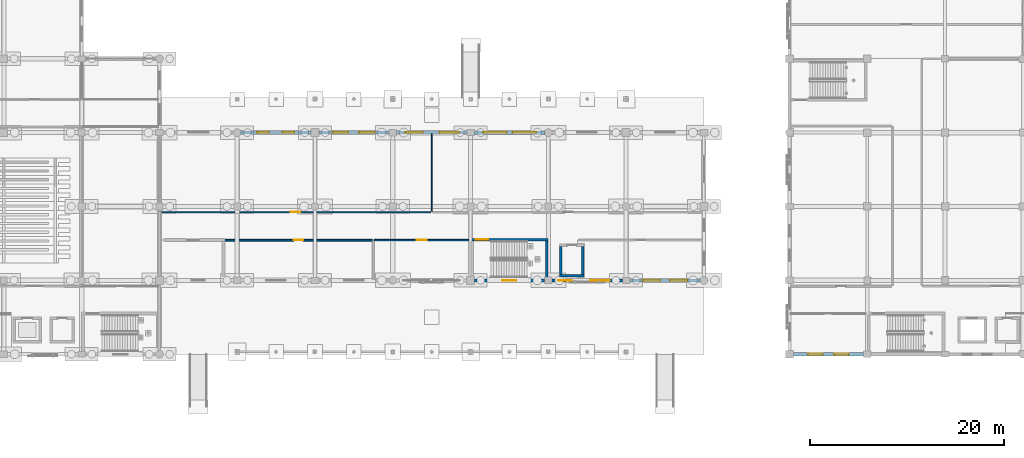
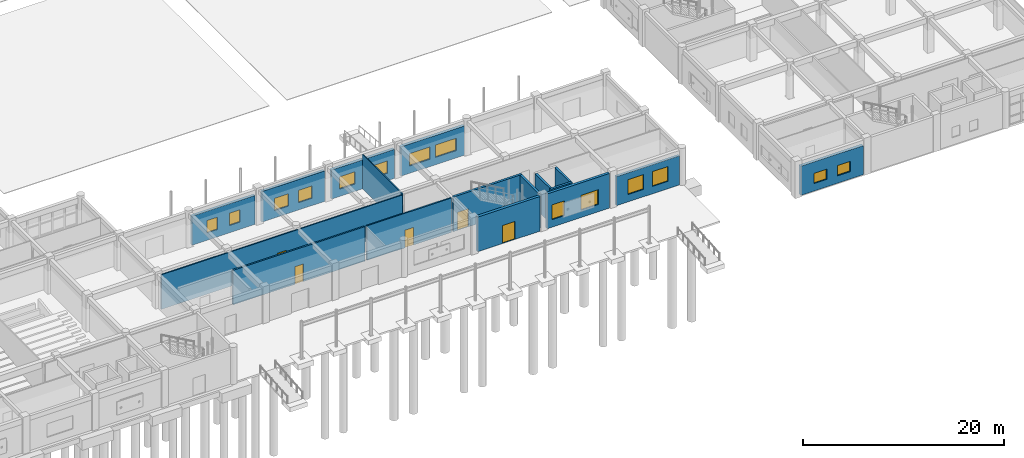
# One storey, part 132 of 166: 17 walls, 14 windows, 5 doors, 19 openings.
"""IFC4 building model written with IfcOpenShell, lengths in metres."""

from ifc_helpers import new_model, si_unit, direction, frame, frame_2d, origin, place, context, subcontext, project, spatial, rectangle, extrude, material, layer, layer_set, type_object, element, fill, save


model = new_model("IFC4")

# Units and contexts
model_context = context("Model", 3, precision=1e-05, world=origin(), true_north=direction((0.0, 1.0)))
body_context = subcontext(model_context, "Body", "Model", "MODEL_VIEW")
ifc_project = project(units=[si_unit("LENGTHUNIT", "METRE"), si_unit("AREAUNIT", "SQUARE_METRE"), si_unit("VOLUMEUNIT", "CUBIC_METRE"), si_unit("PLANEANGLEUNIT", "RADIAN"), si_unit("MASSUNIT", "GRAM", prefix="KILO")], contexts=[model_context])

# Site, building, storey
site_placement = place(None, origin())
site = spatial("IfcSite", under=ifc_project, at=site_placement, CompositionType="ELEMENT")
building_placement = place(site_placement, origin())
building = spatial("IfcBuilding", under=site, at=building_placement, Name="Kharva Crest Polytechnic", CompositionType="ELEMENT")
storey_placement = place(building_placement, origin())
storey = spatial("IfcBuildingStorey", under=building, at=storey_placement, Name="L00", CompositionType="ELEMENT", Elevation=0.0)

# Wall, openings, windows
ifc_material_1 = material(Name="Kiln brick masonry", Category="masonry")
ifc_layer_1 = layer(ifc_material_1, 0.2900390625, Name="Kiln brick masonry")
ifc_layer_set_1 = layer_set([ifc_layer_1], Name="Kiln brick masonry")
wall_type_1 = type_object("IfcWallType", Name="WL-EXT-BRK-290", PredefinedType="SOLIDWALL", material=ifc_layer_set_1)
wall_1_placement = place(storey_placement, frame((104.385009765625, 7.60009765625, 0.0), z_axis=(0.0, 0.0, 1.0), x_axis=(1.0, 0.0, 0.0)))
wall_1 = element("IfcWall", 1, at=wall_1_placement, inside=storey, type_object=wall_type_1, Name="L00 Exterior Brick Wall 26", PredefinedType="SOLIDWALL", context=body_context, shape_type="SweptSolid", body=[
    extrude(rectangle(XDim=7.279052734375, YDim=0.2900390625, at=frame_2d((3.6396484375, 0.0))), origin(), (0.0, 0.0, 1.0), 3.5400390625),
])
opening_1_placement = place(wall_1_placement, frame((1.3330078125, 0.0, 0.89990234375)))
opening_1 = element("IfcOpeningElement", 2, at=opening_1_placement, cuts=wall_1, Name="Opening W05", PredefinedType="OPENING", context=body_context, shape_type="SweptSolid", body=[
    extrude(rectangle(XDim=1.800048828125, YDim=1.800048828125, at=frame_2d((0.89990234375, 0.89990234375))), frame((0.0, 0.155029296875, 0.0), z_axis=(0.0, -1.0, 0.0), x_axis=(1.0, 0.0, 0.0)), (0.0, 0.0, 1.0), 0.31005859375),
])
opening_2_placement = place(wall_1_placement, frame((4.14599609375, 0.0, 0.89990234375)))
opening_2 = element("IfcOpeningElement", 3, at=opening_2_placement, cuts=wall_1, Name="Opening W05", PredefinedType="OPENING", context=body_context, shape_type="SweptSolid", body=[
    extrude(rectangle(XDim=1.800048828125, YDim=1.800048828125, at=frame_2d((0.89990234375, 0.89990234375))), frame((0.0, 0.155029296875, 0.0), z_axis=(0.0, -1.0, 0.0), x_axis=(1.0, 0.0, 0.0)), (0.0, 0.0, 1.0), 0.31005859375),
])
ifc_material_2 = material(Name="Anodised aluminium", Category="aluminium")
window_type_1 = type_object("IfcWindowType", Name="WIN-ALU-1800X1800", PartitioningType="SINGLE_PANEL", PredefinedType="WINDOW", material=ifc_material_2)
window_1_placement = place(opening_1_placement, origin())
window_1 = element("IfcWindow", 4, at=window_1_placement, inside=storey, type_object=window_type_1, Name="L00 Exterior Window 28", OverallHeight=1.800048828125, OverallWidth=1.800048828125, PartitioningType="SINGLE_PANEL", PredefinedType="WINDOW", context=body_context, shape_type="SweptSolid", body=[
    extrude(rectangle(XDim=1.800048828125, YDim=1.800048828125, at=frame_2d((0.89990234375, 0.89990234375))), frame((0.0, 0.030029296875, 0.0), z_axis=(0.0, -1.0, 0.0), x_axis=(1.0, 0.0, 0.0)), (0.0, 0.0, 1.0), 0.06005859375),
])
fill(opening_1, window_1)
window_2_placement = place(opening_2_placement, origin())
window_2 = element("IfcWindow", 5, at=window_2_placement, inside=storey, type_object=window_type_1, Name="L00 Exterior Window 29", OverallHeight=1.800048828125, OverallWidth=1.800048828125, PartitioningType="SINGLE_PANEL", PredefinedType="WINDOW", context=body_context, shape_type="SweptSolid", body=[
    extrude(rectangle(XDim=1.800048828125, YDim=1.800048828125, at=frame_2d((0.89990234375, 0.89990234375))), frame((0.0, 0.030029296875, 0.0), z_axis=(0.0, -1.0, 0.0), x_axis=(1.0, 0.0, 0.0)), (0.0, 0.0, 1.0), 0.06005859375),
])
fill(opening_2, window_2)

ifc_layer_2 = layer(ifc_material_1, 0.304931640625, Name="Kiln brick masonry")
ifc_layer_set_2 = layer_set([ifc_layer_2], Name="Kiln brick masonry")
wall_type_2 = type_object("IfcWallType", Name="WL-EXT-BRK-305", PredefinedType="SOLIDWALL", material=ifc_layer_set_2)
wall_2_placement = place(storey_placement, frame((96.39501953125, 7.60009765625, 0.0), z_axis=(0.0, 0.0, 1.0), x_axis=(1.0, 0.0, 0.0)))
wall_2 = element("IfcWall", 6, at=wall_2_placement, inside=storey, type_object=wall_type_2, Name="L00 Exterior Brick Wall 25", PredefinedType="SOLIDWALL", context=body_context, shape_type="SweptSolid", body=[
    extrude(rectangle(XDim=7.219970703125, YDim=0.304931640625, at=frame_2d((3.60986328125, 0.0))), origin(), (0.0, 0.0, 1.0), 4.219970703125),
])
opening_3_placement = place(wall_2_placement, frame((0.60302734375, 0.0, 0.89990234375)))
opening_3 = element("IfcOpeningElement", 7, at=opening_3_placement, cuts=wall_2, Name="Opening W07", PredefinedType="OPENING", context=body_context, shape_type="SweptSolid", body=[
    extrude(rectangle(XDim=1.39990234375, YDim=1.800048828125, at=frame_2d((0.699951171875, 0.89990234375))), frame((0.0, 0.162353515625, 0.0), z_axis=(0.0, -1.0, 0.0), x_axis=(1.0, 0.0, 0.0)), (0.0, 0.0, 1.0), 0.324951171875),
])
opening_4_placement = place(wall_2_placement, frame((3.912109375, 0.0, 0.89990234375)))
opening_4 = element("IfcOpeningElement", 8, at=opening_4_placement, cuts=wall_2, Name="Opening W04", PredefinedType="OPENING", context=body_context, shape_type="SweptSolid", body=[
    extrude(rectangle(XDim=2.0, YDim=1.800048828125, at=frame_2d((1.0, 0.89990234375))), frame((0.0, 0.162353515625, 0.0), z_axis=(0.0, -1.0, 0.0), x_axis=(1.0, 0.0, 0.0)), (0.0, 0.0, 1.0), 0.324951171875),
])
window_type_2 = type_object("IfcWindowType", Name="WIN-ALU-1400X1800", PartitioningType="SINGLE_PANEL", PredefinedType="WINDOW", material=ifc_material_2)
window_3_placement = place(opening_3_placement, origin())
window_3 = element("IfcWindow", 9, at=window_3_placement, inside=storey, type_object=window_type_2, Name="L00 Exterior Window 26", OverallHeight=1.800048828125, OverallWidth=1.39990234375, PartitioningType="SINGLE_PANEL", PredefinedType="WINDOW", context=body_context, shape_type="SweptSolid", body=[
    extrude(rectangle(XDim=1.39990234375, YDim=1.800048828125, at=frame_2d((0.699951171875, 0.89990234375))), frame((0.0, 0.030029296875, 0.0), z_axis=(0.0, -1.0, 0.0), x_axis=(1.0, 0.0, 0.0)), (0.0, 0.0, 1.0), 0.06005859375),
])
fill(opening_3, window_3)
window_type_3 = type_object("IfcWindowType", Name="WIN-ALU-2000X1800", PartitioningType="SINGLE_PANEL", PredefinedType="WINDOW", material=ifc_material_2)
window_4_placement = place(opening_4_placement, origin())
window_4 = element("IfcWindow", 10, at=window_4_placement, inside=storey, type_object=window_type_3, Name="L00 Exterior Window 27", OverallHeight=1.800048828125, OverallWidth=2.0, PartitioningType="SINGLE_PANEL", PredefinedType="WINDOW", context=body_context, shape_type="SweptSolid", body=[
    extrude(rectangle(XDim=2.0, YDim=1.800048828125, at=frame_2d((1.0, 0.89990234375))), frame((0.0, 0.030029296875, 0.0), z_axis=(0.0, -1.0, 0.0), x_axis=(1.0, 0.0, 0.0)), (0.0, 0.0, 1.0), 0.06005859375),
])
fill(opening_4, window_4)

wall_3_placement = place(storey_placement, frame((71.60498046875, 22.800048828125, 0.0), z_axis=(0.0, 0.0, 1.0), x_axis=(-1.0, 0.0, 0.0)))
wall_3 = element("IfcWall", 11, at=wall_3_placement, inside=storey, type_object=wall_type_2, Name="L00 Exterior Brick Wall 34", PredefinedType="SOLIDWALL", context=body_context, shape_type="SweptSolid", body=[
    extrude(rectangle(XDim=7.26904296875, YDim=0.304931640625, at=frame_2d((3.634521484375, 0.0))), origin(), (0.0, 0.0, 1.0), 3.5400390625),
])
opening_5_placement = place(wall_3_placement, frame((1.72998046875, 0.0, 0.89990234375)))
opening_5 = element("IfcOpeningElement", 12, at=opening_5_placement, cuts=wall_3, Name="Opening W16", PredefinedType="OPENING", context=body_context, shape_type="SweptSolid", body=[
    extrude(rectangle(XDim=1.199951171875, YDim=1.5, at=frame_2d((0.60009765625, 0.75))), frame((0.0, 0.162353515625, 0.0), z_axis=(0.0, -1.0, 0.0), x_axis=(1.0, 0.0, 0.0)), (0.0, 0.0, 1.0), 0.324951171875),
])
opening_6_placement = place(wall_3_placement, frame((4.339111328125, 0.0, 0.89990234375)))
opening_6 = element("IfcOpeningElement", 13, at=opening_6_placement, cuts=wall_3, Name="Opening W16", PredefinedType="OPENING", context=body_context, shape_type="SweptSolid", body=[
    extrude(rectangle(XDim=1.199951171875, YDim=1.5, at=frame_2d((0.60009765625, 0.75))), frame((0.0, 0.162353515625, 0.0), z_axis=(0.0, -1.0, 0.0), x_axis=(1.0, 0.0, 0.0)), (0.0, 0.0, 1.0), 0.324951171875),
])
window_type_4 = type_object("IfcWindowType", Name="WIN-ALU-1200X1500", PartitioningType="SINGLE_PANEL", PredefinedType="WINDOW", material=ifc_material_2)
window_5_placement = place(opening_5_placement, origin())
window_5 = element("IfcWindow", 14, at=window_5_placement, inside=storey, type_object=window_type_4, Name="L00 Exterior Window 39", OverallHeight=1.5, OverallWidth=1.199951171875, PartitioningType="SINGLE_PANEL", PredefinedType="WINDOW", context=body_context, shape_type="SweptSolid", body=[
    extrude(rectangle(XDim=1.199951171875, YDim=1.5, at=frame_2d((0.60009765625, 0.75))), frame((0.0, 0.030029296875, 0.0), z_axis=(0.0, -1.0, 0.0), x_axis=(1.0, 0.0, 0.0)), (0.0, 0.0, 1.0), 0.06005859375),
])
fill(opening_5, window_5)
window_6_placement = place(opening_6_placement, origin())
window_6 = element("IfcWindow", 15, at=window_6_placement, inside=storey, type_object=window_type_4, Name="L00 Exterior Window 40", OverallHeight=1.5, OverallWidth=1.199951171875, PartitioningType="SINGLE_PANEL", PredefinedType="WINDOW", context=body_context, shape_type="SweptSolid", body=[
    extrude(rectangle(XDim=1.199951171875, YDim=1.5, at=frame_2d((0.60009765625, 0.75))), frame((0.0, 0.030029296875, 0.0), z_axis=(0.0, -1.0, 0.0), x_axis=(1.0, 0.0, 0.0)), (0.0, 0.0, 1.0), 0.06005859375),
])
fill(opening_6, window_6)

# Wall, opening, door
ifc_layer_3 = layer(ifc_material_1, 0.320068359375, Name="Kiln brick masonry")
ifc_layer_set_3 = layer_set([ifc_layer_3], Name="Kiln brick masonry")
wall_type_3 = type_object("IfcWallType", Name="WL-EXT-BRK-320", PredefinedType="SOLIDWALL", material=ifc_layer_set_3)
wall_4_placement = place(storey_placement, frame((88.39501953125, 7.60009765625, 0.0), z_axis=(0.0, 0.0, 1.0), x_axis=(1.0, 0.0, 0.0)))
wall_4 = element("IfcWall", 16, at=wall_4_placement, inside=storey, type_object=wall_type_3, Name="L00 Exterior Brick Wall 24", PredefinedType="SOLIDWALL", context=body_context, shape_type="SweptSolid", body=[
    extrude(rectangle(XDim=7.2099609375, YDim=0.320068359375, at=frame_2d((3.60498046875, 0.0))), origin(), (0.0, 0.0, 1.0), 4.219970703125),
])
opening_7_placement = place(wall_4_placement, frame((2.8798828125, 0.0, 0.0)))
opening_7 = element("IfcOpeningElement", 17, at=opening_7_placement, cuts=wall_4, Name="Opening ED5", PredefinedType="OPENING", context=body_context, shape_type="SweptSolid", body=[
    extrude(rectangle(XDim=1.449951171875, YDim=2.199951171875, at=frame_2d((0.72509765625, 1.10009765625))), frame((0.0, 0.169921875, 0.0), z_axis=(0.0, -1.0, 0.0), x_axis=(1.0, 0.0, 0.0)), (0.0, 0.0, 1.0), 0.340087890625),
])
door_type_1 = type_object("IfcDoorType", Name="DR-EXT-ESC-1450X2200", OperationType="NOTDEFINED", PredefinedType="DOOR", material=ifc_material_2)
door_1_placement = place(opening_7_placement, frame((1.449951171875, 0.0, 0.0), z_axis=(0.0, 0.0, 1.0), x_axis=(-1.0, 0.0, 0.0)))
door_1 = element("IfcDoor", 18, at=door_1_placement, inside=storey, type_object=door_type_1, Name="L00 Core C8 Final Exit Door", OperationType="SINGLE_SWING_LEFT", OverallHeight=2.199951171875, OverallWidth=1.449951171875, PredefinedType="DOOR", context=body_context, shape_type="SweptSolid", body=[
    extrude(rectangle(XDim=1.449951171875, YDim=2.199951171875, at=frame_2d((0.72509765625, 1.10009765625))), frame((0.0, 0.02490234375, 0.0), z_axis=(0.0, -1.0, 0.0), x_axis=(1.0, 0.0, 0.0)), (0.0, 0.0, 1.0), 0.050048828125),
])
fill(opening_7, door_1)

# Wall, openings, windows
wall_5_placement = place(storey_placement, frame((79.60498046875, 22.800048828125, 0.0), z_axis=(0.0, 0.0, 1.0), x_axis=(-1.0, 0.0, 0.0)))
wall_5 = element("IfcWall", 19, at=wall_5_placement, inside=storey, type_object=wall_type_3, Name="L00 Exterior Brick Wall 33", PredefinedType="SOLIDWALL", context=body_context, shape_type="SweptSolid", body=[
    extrude(rectangle(XDim=7.2099609375, YDim=0.320068359375, at=frame_2d((3.60498046875, 0.0))), origin(), (0.0, 0.0, 1.0), 3.719970703125),
])
opening_8_placement = place(wall_5_placement, frame((1.443115234375, 0.0, 0.89990234375)))
opening_8 = element("IfcOpeningElement", 20, at=opening_8_placement, cuts=wall_5, Name="Opening W14", PredefinedType="OPENING", context=body_context, shape_type="SweptSolid", body=[
    extrude(rectangle(XDim=1.60009765625, YDim=1.5, at=frame_2d((0.800048828125, 0.75))), frame((0.0, 0.169921875, 0.0), z_axis=(0.0, -1.0, 0.0), x_axis=(1.0, 0.0, 0.0)), (0.0, 0.0, 1.0), 0.340087890625),
])
opening_9_placement = place(wall_5_placement, frame((4.1669921875, 0.0, 0.89990234375)))
opening_9 = element("IfcOpeningElement", 21, at=opening_9_placement, cuts=wall_5, Name="Opening W14", PredefinedType="OPENING", context=body_context, shape_type="SweptSolid", body=[
    extrude(rectangle(XDim=1.60009765625, YDim=1.5, at=frame_2d((0.800048828125, 0.75))), frame((0.0, 0.169921875, 0.0), z_axis=(0.0, -1.0, 0.0), x_axis=(1.0, 0.0, 0.0)), (0.0, 0.0, 1.0), 0.340087890625),
])
window_type_5 = type_object("IfcWindowType", Name="WIN-ALU-1600X1500", PartitioningType="SINGLE_PANEL", PredefinedType="WINDOW", material=ifc_material_2)
window_7_placement = place(opening_8_placement, origin())
window_7 = element("IfcWindow", 22, at=window_7_placement, inside=storey, type_object=window_type_5, Name="L00 Exterior Window 37", OverallHeight=1.5, OverallWidth=1.60009765625, PartitioningType="SINGLE_PANEL", PredefinedType="WINDOW", context=body_context, shape_type="SweptSolid", body=[
    extrude(rectangle(XDim=1.60009765625, YDim=1.5, at=frame_2d((0.800048828125, 0.75))), frame((0.0, 0.030029296875, 0.0), z_axis=(0.0, -1.0, 0.0), x_axis=(1.0, 0.0, 0.0)), (0.0, 0.0, 1.0), 0.06005859375),
])
fill(opening_8, window_7)
window_8_placement = place(opening_9_placement, origin())
window_8 = element("IfcWindow", 23, at=window_8_placement, inside=storey, type_object=window_type_5, Name="L00 Exterior Window 38", OverallHeight=1.5, OverallWidth=1.60009765625, PartitioningType="SINGLE_PANEL", PredefinedType="WINDOW", context=body_context, shape_type="SweptSolid", body=[
    extrude(rectangle(XDim=1.60009765625, YDim=1.5, at=frame_2d((0.800048828125, 0.75))), frame((0.0, 0.030029296875, 0.0), z_axis=(0.0, -1.0, 0.0), x_axis=(1.0, 0.0, 0.0)), (0.0, 0.0, 1.0), 0.06005859375),
])
fill(opening_9, window_8)

ifc_layer_4 = layer(ifc_material_1, 0.3349609375, Name="Kiln brick masonry")
ifc_layer_set_4 = layer_set([ifc_layer_4], Name="Kiln brick masonry")
wall_type_4 = type_object("IfcWallType", Name="WL-EXT-BRK-335", PredefinedType="SOLIDWALL", material=ifc_layer_set_4)
wall_6_placement = place(storey_placement, frame((87.614990234375, 22.800048828125, 0.0), z_axis=(0.0, 0.0, 1.0), x_axis=(-1.0, 0.0, 0.0)))
wall_6 = element("IfcWall", 24, at=wall_6_placement, inside=storey, type_object=wall_type_4, Name="L00 Exterior Brick Wall 32", PredefinedType="SOLIDWALL", context=body_context, shape_type="SweptSolid", body=[
    extrude(rectangle(XDim=7.219970703125, YDim=0.3349609375, at=frame_2d((3.60986328125, 0.0))), origin(), (0.0, 0.0, 1.0), 3.5400390625),
])
opening_10_placement = place(wall_6_placement, frame((0.802978515625, 0.0, 0.89990234375)))
opening_10 = element("IfcOpeningElement", 25, at=opening_10_placement, cuts=wall_6, Name="Opening W12", PredefinedType="OPENING", context=body_context, shape_type="SweptSolid", body=[
    extrude(rectangle(XDim=2.0, YDim=1.5, at=frame_2d((1.0, 0.75))), frame((0.0, 0.177490234375, 0.0), z_axis=(0.0, -1.0, 0.0), x_axis=(1.0, 0.0, 0.0)), (0.0, 0.0, 1.0), 0.35498046875),
])
opening_11_placement = place(wall_6_placement, frame((4.511962890625, 0.0, 0.89990234375)))
opening_11 = element("IfcOpeningElement", 26, at=opening_11_placement, cuts=wall_6, Name="Opening W13", PredefinedType="OPENING", context=body_context, shape_type="SweptSolid", body=[
    extrude(rectangle(XDim=1.800048828125, YDim=1.5, at=frame_2d((0.89990234375, 0.75))), frame((0.0, 0.177490234375, 0.0), z_axis=(0.0, -1.0, 0.0), x_axis=(1.0, 0.0, 0.0)), (0.0, 0.0, 1.0), 0.35498046875),
])
window_type_6 = type_object("IfcWindowType", Name="WIN-ALU-1800X1500", PartitioningType="SINGLE_PANEL", PredefinedType="WINDOW", material=ifc_material_2)
window_9_placement = place(opening_11_placement, origin())
window_9 = element("IfcWindow", 27, at=window_9_placement, inside=storey, type_object=window_type_6, Name="L00 Exterior Window 36", OverallHeight=1.5, OverallWidth=1.800048828125, PartitioningType="SINGLE_PANEL", PredefinedType="WINDOW", context=body_context, shape_type="SweptSolid", body=[
    extrude(rectangle(XDim=1.800048828125, YDim=1.5, at=frame_2d((0.89990234375, 0.75))), frame((0.0, 0.030029296875, 0.0), z_axis=(0.0, -1.0, 0.0), x_axis=(1.0, 0.0, 0.0)), (0.0, 0.0, 1.0), 0.06005859375),
])
fill(opening_11, window_9)
window_type_7 = type_object("IfcWindowType", Name="WIN-ALU-2000X1500", PartitioningType="SINGLE_PANEL", PredefinedType="WINDOW", material=ifc_material_2)
window_10_placement = place(opening_10_placement, origin())
window_10 = element("IfcWindow", 28, at=window_10_placement, inside=storey, type_object=window_type_7, Name="L00 Exterior Window 35", OverallHeight=1.5, OverallWidth=2.0, PartitioningType="SINGLE_PANEL", PredefinedType="WINDOW", context=body_context, shape_type="SweptSolid", body=[
    extrude(rectangle(XDim=2.0, YDim=1.5, at=frame_2d((1.0, 0.75))), frame((0.0, 0.030029296875, 0.0), z_axis=(0.0, -1.0, 0.0), x_axis=(1.0, 0.0, 0.0)), (0.0, 0.0, 1.0), 0.06005859375),
])
fill(opening_10, window_10)

wall_7_placement = place(storey_placement, frame((121.195068359375, 0.0, 0.0), z_axis=(0.0, 0.0, 1.0), x_axis=(1.0, 0.0, 0.0)))
wall_7 = element("IfcWall", 29, at=wall_7_placement, inside=storey, type_object=wall_type_4, Name="L00 Exterior Brick Wall 52", PredefinedType="SOLIDWALL", context=body_context, shape_type="SweptSolid", body=[
    extrude(rectangle(XDim=7.2099609375, YDim=0.3349609375, at=frame_2d((3.60498046875, 0.0))), origin(), (0.0, 0.0, 1.0), 3.5400390625),
])
opening_12_placement = place(wall_7_placement, frame((1.510009765625, 0.0, 0.89990234375)))
opening_12 = element("IfcOpeningElement", 30, at=opening_12_placement, cuts=wall_7, Name="Opening W20", PredefinedType="OPENING", context=body_context, shape_type="SweptSolid", body=[
    extrude(rectangle(XDim=1.5, YDim=1.25, at=frame_2d((0.75, 0.625))), frame((0.0, 0.177490234375, 0.0), z_axis=(0.0, -1.0, 0.0), x_axis=(1.0, 0.0, 0.0)), (0.0, 0.0, 1.0), 0.35498046875),
])
opening_13_placement = place(wall_7_placement, frame((4.199951171875, 0.0, 0.89990234375)))
opening_13 = element("IfcOpeningElement", 31, at=opening_13_placement, cuts=wall_7, Name="Opening W20", PredefinedType="OPENING", context=body_context, shape_type="SweptSolid", body=[
    extrude(rectangle(XDim=1.5, YDim=1.25, at=frame_2d((0.75, 0.625))), frame((0.0, 0.177490234375, 0.0), z_axis=(0.0, -1.0, 0.0), x_axis=(1.0, 0.0, 0.0)), (0.0, 0.0, 1.0), 0.35498046875),
])
window_type_8 = type_object("IfcWindowType", Name="WIN-ALU-1500X1250", PartitioningType="SINGLE_PANEL", PredefinedType="WINDOW", material=ifc_material_2)
window_11_placement = place(opening_12_placement, origin())
window_11 = element("IfcWindow", 32, at=window_11_placement, inside=storey, type_object=window_type_8, Name="L00 Exterior Window 67", OverallHeight=1.25, OverallWidth=1.5, PartitioningType="SINGLE_PANEL", PredefinedType="WINDOW", context=body_context, shape_type="SweptSolid", body=[
    extrude(rectangle(XDim=1.5, YDim=1.25, at=frame_2d((0.75, 0.625))), frame((0.0, 0.030029296875, 0.0), z_axis=(0.0, -1.0, 0.0), x_axis=(1.0, 0.0, 0.0)), (0.0, 0.0, 1.0), 0.06005859375),
])
fill(opening_12, window_11)
window_12_placement = place(opening_13_placement, origin())
window_12 = element("IfcWindow", 33, at=window_12_placement, inside=storey, type_object=window_type_8, Name="L00 Exterior Window 68", OverallHeight=1.25, OverallWidth=1.5, PartitioningType="SINGLE_PANEL", PredefinedType="WINDOW", context=body_context, shape_type="SweptSolid", body=[
    extrude(rectangle(XDim=1.5, YDim=1.25, at=frame_2d((0.75, 0.625))), frame((0.0, 0.030029296875, 0.0), z_axis=(0.0, -1.0, 0.0), x_axis=(1.0, 0.0, 0.0)), (0.0, 0.0, 1.0), 0.06005859375),
])
fill(opening_13, window_12)

ifc_layer_5 = layer(ifc_material_1, 0.35009765625, Name="Kiln brick masonry")
ifc_layer_set_5 = layer_set([ifc_layer_5], Name="Kiln brick masonry")
wall_type_5 = type_object("IfcWallType", Name="WL-EXT-BRK-350", PredefinedType="SOLIDWALL", material=ifc_layer_set_5)
wall_8_placement = place(storey_placement, frame((95.6640625, 22.800048828125, 0.0), z_axis=(0.0, 0.0, 1.0), x_axis=(-1.0, 0.0, 0.0)))
wall_8 = element("IfcWall", 34, at=wall_8_placement, inside=storey, type_object=wall_type_5, Name="L00 Exterior Brick Wall 31", PredefinedType="SOLIDWALL", context=body_context, shape_type="SweptSolid", body=[
    extrude(rectangle(XDim=7.279052734375, YDim=0.35009765625, at=frame_2d((3.6396484375, 0.0))), origin(), (0.0, 0.0, 1.0), 3.570068359375),
])
opening_14_placement = place(wall_8_placement, frame((0.93310546875, 0.0, 0.89990234375)))
opening_14 = element("IfcOpeningElement", 35, at=opening_14_placement, cuts=wall_8, Name="Opening W10", PredefinedType="OPENING", context=body_context, shape_type="SweptSolid", body=[
    extrude(rectangle(XDim=2.39990234375, YDim=1.5, at=frame_2d((1.199951171875, 0.75))), frame((0.0, 0.18505859375, 0.0), z_axis=(0.0, -1.0, 0.0), x_axis=(1.0, 0.0, 0.0)), (0.0, 0.0, 1.0), 0.3701171875),
])
opening_15_placement = place(wall_8_placement, frame((3.946044921875, 0.0, 0.89990234375)))
opening_15 = element("IfcOpeningElement", 36, at=opening_15_placement, cuts=wall_8, Name="Opening W10", PredefinedType="OPENING", context=body_context, shape_type="SweptSolid", body=[
    extrude(rectangle(XDim=2.39990234375, YDim=1.5, at=frame_2d((1.199951171875, 0.75))), frame((0.0, 0.18505859375, 0.0), z_axis=(0.0, -1.0, 0.0), x_axis=(1.0, 0.0, 0.0)), (0.0, 0.0, 1.0), 0.3701171875),
])
window_type_9 = type_object("IfcWindowType", Name="WIN-ALU-2400X1500", PartitioningType="SINGLE_PANEL", PredefinedType="WINDOW", material=ifc_material_2)
window_13_placement = place(opening_14_placement, origin())
window_13 = element("IfcWindow", 37, at=window_13_placement, inside=storey, type_object=window_type_9, Name="L00 Exterior Window 33", OverallHeight=1.5, OverallWidth=2.39990234375, PartitioningType="SINGLE_PANEL", PredefinedType="WINDOW", context=body_context, shape_type="SweptSolid", body=[
    extrude(rectangle(XDim=2.39990234375, YDim=1.5, at=frame_2d((1.199951171875, 0.75))), frame((0.0, 0.030029296875, 0.0), z_axis=(0.0, -1.0, 0.0), x_axis=(1.0, 0.0, 0.0)), (0.0, 0.0, 1.0), 0.06005859375),
])
fill(opening_14, window_13)
window_14_placement = place(opening_15_placement, origin())
window_14 = element("IfcWindow", 38, at=window_14_placement, inside=storey, type_object=window_type_9, Name="L00 Exterior Window 34", OverallHeight=1.5, OverallWidth=2.39990234375, PartitioningType="SINGLE_PANEL", PredefinedType="WINDOW", context=body_context, shape_type="SweptSolid", body=[
    extrude(rectangle(XDim=2.39990234375, YDim=1.5, at=frame_2d((1.199951171875, 0.75))), frame((0.0, 0.030029296875, 0.0), z_axis=(0.0, -1.0, 0.0), x_axis=(1.0, 0.0, 0.0)), (0.0, 0.0, 1.0), 0.06005859375),
])
fill(opening_15, window_14)

# Wall
ifc_layer_6 = layer(ifc_material_1, 0.1201171875, Name="Kiln brick masonry")
ifc_layer_set_6 = layer_set([ifc_layer_6], Name="Kiln brick masonry")
wall_type_6 = type_object("IfcWallType", Name="WL-PART-120", PredefinedType="PARTITIONING", material=ifc_layer_set_6)
wall_9_placement = place(storey_placement, frame((84.0, 14.719970703125, 0.0), z_axis=(0.0, 0.0, 1.0), x_axis=(0.0, 1.0, 0.0)))
element("IfcWall", 39, at=wall_9_placement, inside=storey, type_object=wall_type_6, Name="L00 Interior Partition 76", PredefinedType="PARTITIONING", context=body_context, shape_type="SweptSolid", body=[
    extrude(rectangle(XDim=7.969970703125, YDim=0.1201171875, at=frame_2d((3.98486328125, 0.0))), origin(), (0.0, 0.0, 1.0), 4.199951171875),
])

# Wall, opening, door
ifc_layer_7 = layer(ifc_material_1, 0.139892578125, Name="Kiln brick masonry")
ifc_layer_set_7 = layer_set([ifc_layer_7], Name="Kiln brick masonry")
wall_type_7 = type_object("IfcWallType", Name="WL-PART-140", PredefinedType="PARTITIONING", material=ifc_layer_set_7)
wall_10_placement = place(storey_placement, frame((56.1201171875, 14.610107421875, 0.0), z_axis=(0.0, 0.0, 1.0), x_axis=(1.0, 0.0, 0.0)))
wall_10 = element("IfcWall", 40, at=wall_10_placement, inside=storey, type_object=wall_type_7, Name="L00 Interior Partition 74", PredefinedType="PARTITIONING", context=body_context, shape_type="SweptSolid", body=[
    extrude(rectangle(XDim=27.769775390625, YDim=0.139892578125, at=frame_2d((13.884765625, 0.0))), origin(), (0.0, 0.0, 1.0), 4.199951171875),
])
opening_16_placement = place(wall_10_placement, frame((13.385009765625, 0.0, 0.0)))
opening_16 = element("IfcOpeningElement", 41, at=opening_16_placement, cuts=wall_10, Name="Opening ID12", PredefinedType="OPENING", context=body_context, shape_type="SweptSolid", body=[
    extrude(rectangle(XDim=1.0, YDim=2.14990234375, at=frame_2d((0.5, 1.074951171875))), frame((0.0, 0.079833984375, 0.0), z_axis=(0.0, -1.0, 0.0), x_axis=(1.0, 0.0, 0.0)), (0.0, 0.0, 1.0), 0.159912109375),
])
ifc_material_3 = material(Name="Teak timber", Category="wood")
door_type_2 = type_object("IfcDoorType", Name="DR-OFF-1000X2150", OperationType="NOTDEFINED", PredefinedType="DOOR", material=ifc_material_3)
door_2_placement = place(opening_16_placement, origin())
door_2 = element("IfcDoor", 42, at=door_2_placement, inside=storey, type_object=door_type_2, Name="L00 Bursar and Student Services Office Door", OperationType="SINGLE_SWING_RIGHT", OverallHeight=2.14990234375, OverallWidth=1.0, PredefinedType="DOOR", context=body_context, shape_type="SweptSolid", body=[
    extrude(rectangle(XDim=1.0, YDim=2.14990234375, at=frame_2d((0.5, 1.074951171875))), frame((0.0, 0.02490234375, 0.0), z_axis=(0.0, -1.0, 0.0), x_axis=(1.0, 0.0, 0.0)), (0.0, 0.0, 1.0), 0.050048828125),
])
fill(opening_16, door_2)

ifc_layer_8 = layer(ifc_material_1, 0.159912109375, Name="Kiln brick masonry")
ifc_layer_set_8 = layer_set([ifc_layer_8], Name="Kiln brick masonry")
wall_type_8 = type_object("IfcWallType", Name="WL-PART-160", PredefinedType="PARTITIONING", material=ifc_layer_set_8)
wall_11_placement = place(storey_placement, frame((78.1201171875, 11.739990234375, 0.0), z_axis=(0.0, 0.0, 1.0), x_axis=(1.0, 0.0, 0.0)))
wall_11 = element("IfcWall", 43, at=wall_11_placement, inside=storey, type_object=wall_type_8, Name="L00 Interior Partition 72", PredefinedType="PARTITIONING", context=body_context, shape_type="SweptSolid", body=[
    extrude(rectangle(XDim=9.719970703125, YDim=0.159912109375, at=frame_2d((4.85986328125, 0.0))), origin(), (0.0, 0.0, 1.0), 4.199951171875),
])
opening_17_placement = place(wall_11_placement, frame((4.360107421875, 0.0, 0.0)))
opening_17 = element("IfcOpeningElement", 44, at=opening_17_placement, cuts=wall_11, Name="Opening ID12", PredefinedType="OPENING", context=body_context, shape_type="SweptSolid", body=[
    extrude(rectangle(XDim=1.0, YDim=2.14990234375, at=frame_2d((0.5, 1.074951171875))), frame((0.0, 0.08984375, 0.0), z_axis=(0.0, -1.0, 0.0), x_axis=(1.0, 0.0, 0.0)), (0.0, 0.0, 1.0), 0.179931640625),
])
door_3_placement = place(opening_17_placement, origin())
door_3 = element("IfcDoor", 45, at=door_3_placement, inside=storey, type_object=door_type_2, Name="L00 Registrar Office Door", OperationType="SINGLE_SWING_RIGHT", OverallHeight=2.14990234375, OverallWidth=1.0, PredefinedType="DOOR", context=body_context, shape_type="SweptSolid", body=[
    extrude(rectangle(XDim=1.0, YDim=2.14990234375, at=frame_2d((0.5, 1.074951171875))), frame((0.0, 0.02490234375, 0.0), z_axis=(0.0, -1.0, 0.0), x_axis=(1.0, 0.0, 0.0)), (0.0, 0.0, 1.0), 0.050048828125),
])
fill(opening_17, door_3)

ifc_layer_9 = layer(ifc_material_1, 0.179931640625, Name="Kiln brick masonry")
ifc_layer_set_9 = layer_set([ifc_layer_9], Name="Kiln brick masonry")
wall_type_9 = type_object("IfcWallType", Name="WL-PART-180", PredefinedType="PARTITIONING", material=ifc_layer_set_9)
wall_12_placement = place(storey_placement, frame((62.719970703125, 11.739990234375, 0.0), z_axis=(0.0, 0.0, 1.0), x_axis=(1.0, 0.0, 0.0)))
wall_12 = element("IfcWall", 46, at=wall_12_placement, inside=storey, type_object=wall_type_9, Name="L00 Interior Partition 70", PredefinedType="PARTITIONING", context=body_context, shape_type="SweptSolid", body=[
    extrude(rectangle(XDim=15.169921875, YDim=0.179931640625, at=frame_2d((7.5849609375, 0.0))), origin(), (0.0, 0.0, 1.0), 4.199951171875),
])
opening_18_placement = place(wall_12_placement, frame((7.10498046875, 0.0, 0.0)))
opening_18 = element("IfcOpeningElement", 47, at=opening_18_placement, cuts=wall_12, Name="Opening ID13", PredefinedType="OPENING", context=body_context, shape_type="SweptSolid", body=[
    extrude(rectangle(XDim=0.9599609375, YDim=2.14990234375, at=frame_2d((0.47998046875, 1.074951171875))), frame((0.0, 0.099853515625, 0.0), z_axis=(0.0, -1.0, 0.0), x_axis=(1.0, 0.0, 0.0)), (0.0, 0.0, 1.0), 0.199951171875),
])
door_type_3 = type_object("IfcDoorType", Name="DR-OFF-960X2150", OperationType="NOTDEFINED", PredefinedType="DOOR", material=ifc_material_3)
door_4_placement = place(opening_18_placement, origin())
door_4 = element("IfcDoor", 48, at=door_4_placement, inside=storey, type_object=door_type_3, Name="L00 Admission Office Door", OperationType="SINGLE_SWING_LEFT", OverallHeight=2.14990234375, OverallWidth=0.9599609375, PredefinedType="DOOR", context=body_context, shape_type="SweptSolid", body=[
    extrude(rectangle(XDim=0.9599609375, YDim=2.14990234375, at=frame_2d((0.47998046875, 1.074951171875))), frame((0.0, 0.02490234375, 0.0), z_axis=(0.0, -1.0, 0.0), x_axis=(1.0, 0.0, 0.0)), (0.0, 0.0, 1.0), 0.050048828125),
])
fill(opening_18, door_4)

ifc_material_4 = material(Name="Concrete C40/50", Category="concrete")
ifc_layer_10 = layer(ifc_material_4, 0.25, Name="Concrete C40/50")
ifc_layer_set_10 = layer_set([ifc_layer_10], Name="Concrete C40/50")
wall_type_10 = type_object("IfcWallType", Name="WL-SHEAR-SW1-250", PredefinedType="SHEAR", material=ifc_layer_set_10)
wall_13_placement = place(storey_placement, frame((88.050048828125, 11.784912109375, 0.0), z_axis=(0.0, 0.0, 1.0), x_axis=(1.0, 0.0, 0.0)))
wall_13 = element("IfcWall", 49, at=wall_13_placement, inside=storey, type_object=wall_type_10, Name="L00 South Entrance Wing Stair C8 North Shear Wall", PredefinedType="SHEAR", context=body_context, shape_type="SweptSolid", body=[
    extrude(rectangle(XDim=7.89990234375, YDim=0.25, at=frame_2d((3.949951171875, 0.0))), origin(), (0.0, 0.0, 1.0), 4.219970703125),
])
opening_19_placement = place(wall_13_placement, frame((0.5, 0.0, 0.0)))
opening_19 = element("IfcOpeningElement", 50, at=opening_19_placement, cuts=wall_13, Name="Opening FD1B", PredefinedType="OPENING", context=body_context, shape_type="SweptSolid", body=[
    extrude(rectangle(XDim=1.25, YDim=2.199951171875, at=frame_2d((0.625, 1.10009765625))), frame((0.0, 0.135009765625, 0.0), z_axis=(0.0, -1.0, 0.0), x_axis=(1.0, 0.0, 0.0)), (0.0, 0.0, 1.0), 0.27001953125),
])
door_type_4 = type_object("IfcDoorType", Name="DR-STAIR-1250X2200", OperationType="NOTDEFINED", PredefinedType="DOOR", material=ifc_material_3)
door_5_placement = place(opening_19_placement, origin())
door_5 = element("IfcDoor", 51, at=door_5_placement, inside=storey, type_object=door_type_4, Name="L00 ST-08 Stair Door", OperationType="SINGLE_SWING_RIGHT", OverallHeight=2.199951171875, OverallWidth=1.25, PredefinedType="DOOR", context=body_context, shape_type="SweptSolid", body=[
    extrude(rectangle(XDim=1.25, YDim=2.199951171875, at=frame_2d((0.625, 1.10009765625))), frame((0.0, 0.02490234375, 0.0), z_axis=(0.0, -1.0, 0.0), x_axis=(1.0, 0.0, 0.0)), (0.0, 0.0, 1.0), 0.050048828125),
])
fill(opening_19, door_5)

# Walls
wall_14_placement = place(storey_placement, frame((95.824951171875, 7.89990234375, 0.0), z_axis=(0.0, 0.0, 1.0), x_axis=(0.0, 1.0, 0.0)))
element("IfcWall", 52, at=wall_14_placement, inside=storey, type_object=wall_type_10, Name="L00 South Entrance Wing Stair C8 East Shear Wall", PredefinedType="SHEAR", context=body_context, shape_type="SweptSolid", body=[
    extrude(rectangle(XDim=3.760009765625, YDim=0.25, at=frame_2d((1.8798828125, 0.0))), origin(), (0.0, 0.0, 1.0), 4.219970703125),
])
wall_15_placement = place(storey_placement, frame((97.14990234375, 8.074951171875, 0.0), z_axis=(0.0, 0.0, 1.0), x_axis=(1.0, 0.0, 0.0)))
element("IfcWall", 53, at=wall_15_placement, inside=storey, type_object=wall_type_10, Name="L00 Core C8 Riser South Wall", PredefinedType="SHEAR", context=body_context, shape_type="SweptSolid", body=[
    extrude(rectangle(XDim=2.5, YDim=0.25, at=frame_2d((1.25, 0.0))), origin(), (0.0, 0.0, 1.0), 4.219970703125),
])
for number, where, z_axis, x_axis, name in (
    (54, (97.27490234375, 8.199951171875, 0.0), (0.0, 0.0, 1.0), (0.0, 1.0, 0.0), "L00 Core C8 Riser West Wall"),
    (55, (99.52490234375, 8.199951171875, 0.0), (0.0, 0.0, 1.0), (0.0, 1.0, 0.0), "L00 Core C8 Riser East Wall"),
):
    element("IfcWall", number, at=place(storey_placement, frame(where, z_axis=z_axis, x_axis=x_axis)), inside=storey, type_object=wall_type_10, Name=name, PredefinedType="SHEAR", context=body_context, shape_type="SweptSolid", body=[
        extrude(rectangle(XDim=2.900146484375, YDim=0.25, at=frame_2d((1.4501953125, 0.0))), origin(), (0.0, 0.0, 1.0), 4.219970703125),
    ])

save(model, "model.ifc")
